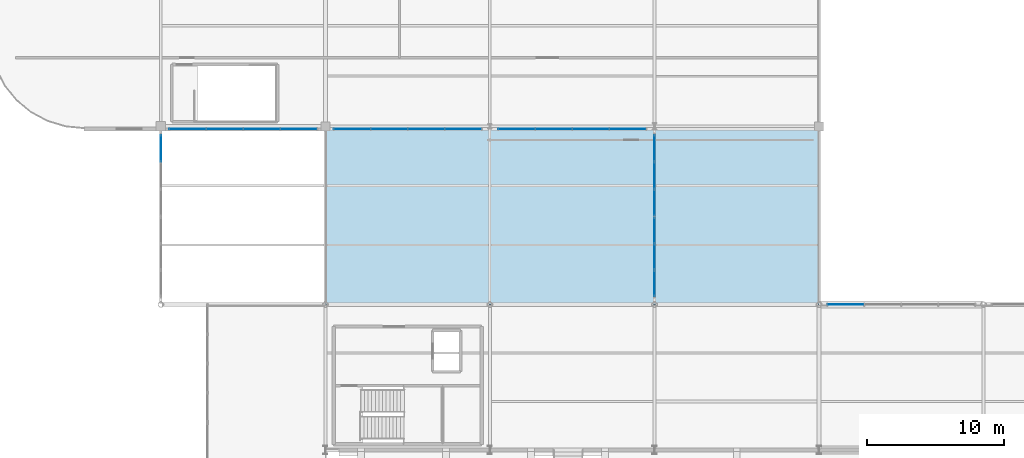
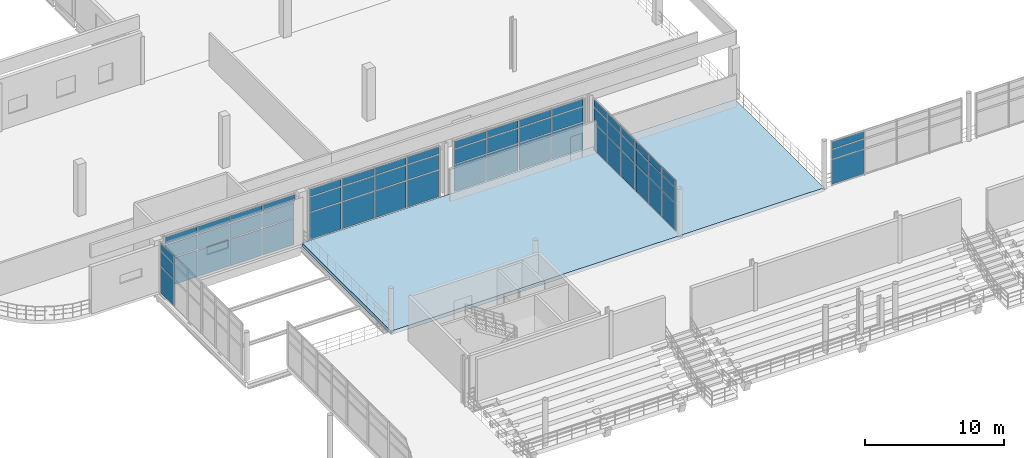
# One storey, part 58 of 89: 60 plates, 1 slab, 7 elements without a shape of their own.
"""IFC4 building model written with IfcOpenShell, lengths in metres."""

from ifc_helpers import new_model, si_unit, direction, frame, origin, origin_2d, place, context, subcontext, project, spatial, polyline, rectangle, outline, extrude, material, layer, layer_set, type_object, element, aggregate, save


model = new_model("IFC4")

# Units and contexts
model_context = context("Model", 3, precision=1e-05, world=origin(), true_north=direction((0.0, 1.0)))
body_context = subcontext(model_context, "Body", "Model", "MODEL_VIEW")
ifc_project = project(units=[si_unit("LENGTHUNIT", "METRE"), si_unit("AREAUNIT", "SQUARE_METRE"), si_unit("VOLUMEUNIT", "CUBIC_METRE"), si_unit("PLANEANGLEUNIT", "RADIAN"), si_unit("MASSUNIT", "GRAM", prefix="KILO"), si_unit("THERMODYNAMICTEMPERATUREUNIT", "KELVIN"), si_unit("POWERUNIT", "WATT")], contexts=[model_context])

# Site, building, storey
site_placement = place(None, origin())
site = spatial("IfcSite", under=ifc_project, at=site_placement, CompositionType="ELEMENT")
building_placement = place(site_placement, origin())
building = spatial("IfcBuilding", under=site, at=building_placement, Name="Solmara Park Aquatics Centre", CompositionType="ELEMENT")
storey_placement = place(building_placement, frame((0.0, 0.0, 5.39990234375)))
storey = spatial("IfcBuildingStorey", under=building, at=storey_placement, Name="L01", CompositionType="ELEMENT", Elevation=5.39990234375)

# Curtain wall, plates
ifc_material_1 = material(Name="Anodised Aluminium Curtain Wall Framing", Category="aluminium")
curtain_wall_type = type_object("IfcCurtainWallType", Name="ARC-CW-SYS05", PredefinedType="USERDEFINED", material=ifc_material_1)
curtain_wall_1_placement = place(storey_placement, origin())
curtain_wall_1 = element("IfcCurtainWall", 1, at=curtain_wall_1_placement, inside=storey, type_object=curtain_wall_type, Name="Curtain Wall CW-098", ObjectType="CURTAIN WALL", PredefinedType="USERDEFINED")
ifc_material_2 = material(Name="Double Low-E Solar-Control Glazing", Category="glass")
ifc_layer_1 = layer(ifc_material_2, 0.035888671875, Name="Double Low-E Solar-Control Glazing")
ifc_layer_set_1 = layer_set([ifc_layer_1], Name="Double Low-E Solar-Control Glazing")
plate_type_1 = type_object("IfcPlateType", Name="ARC-CWP-GLZ36-1840x1280", PredefinedType="CURTAIN_PANEL", material=ifc_layer_set_1)
plate_1_placement = place(storey_placement, frame((48.60009765625, 74.139892578125, 2.490234375), z_axis=(0.0, 0.0, 1.0), x_axis=(0.0, 1.0, 0.0)))
plate_1 = element("IfcPlate", 2, at=plate_1_placement, type_object=plate_type_1, Name="CW-098 panel 2", PredefinedType="CURTAIN_PANEL", context=body_context, shape_type="SweptSolid", body=[
    extrude(rectangle(XDim=1.840087890625, YDim=0.035888671875, at=origin_2d()), origin(), (0.0, 0.0, 1.0), 1.280029296875),
])
plate_2_placement = place(storey_placement, frame((48.60009765625, 76.06005859375, 2.490234375), z_axis=(0.0, 0.0, 1.0), x_axis=(0.0, 1.0, 0.0)))
plate_2 = element("IfcPlate", 3, at=plate_2_placement, type_object=plate_type_1, Name="CW-098 panel 5", PredefinedType="CURTAIN_PANEL", context=body_context, shape_type="SweptSolid", body=[
    extrude(rectangle(XDim=1.840087890625, YDim=0.035888671875, at=origin_2d()), origin(), (0.0, 0.0, 1.0), 1.280029296875),
])
plate_3_placement = place(storey_placement, frame((48.60009765625, 77.97998046875, 2.490234375), z_axis=(0.0, 0.0, 1.0), x_axis=(0.0, 1.0, 0.0)))
plate_3 = element("IfcPlate", 4, at=plate_3_placement, type_object=plate_type_1, Name="CW-098 panel 8", PredefinedType="CURTAIN_PANEL", context=body_context, shape_type="SweptSolid", body=[
    extrude(rectangle(XDim=1.840087890625, YDim=0.035888671875, at=origin_2d()), origin(), (0.0, 0.0, 1.0), 1.280029296875),
])
ifc_layer_2 = layer(ifc_material_2, 0.035888671875, Name="Double Low-E Solar-Control Glazing")
ifc_layer_set_2 = layer_set([ifc_layer_2], Name="Double Low-E Solar-Control Glazing")
plate_type_2 = type_object("IfcPlateType", Name="ARC-CWP-GLZ36-1840x2320", PredefinedType="CURTAIN_PANEL", material=ifc_layer_set_2)
plate_4_placement = place(storey_placement, frame((48.60009765625, 74.139892578125, 0.080078125), z_axis=(0.0, 0.0, 1.0), x_axis=(0.0, 1.0, 0.0)))
plate_4 = element("IfcPlate", 5, at=plate_4_placement, type_object=plate_type_2, Name="CW-098 panel 1", PredefinedType="CURTAIN_PANEL", context=body_context, shape_type="SweptSolid", body=[
    extrude(rectangle(XDim=1.840087890625, YDim=0.035888671875, at=origin_2d()), origin(), (0.0, 0.0, 1.0), 2.330078125),
])
plate_5_placement = place(storey_placement, frame((48.60009765625, 76.06005859375, 0.080078125), z_axis=(0.0, 0.0, 1.0), x_axis=(0.0, 1.0, 0.0)))
plate_5 = element("IfcPlate", 6, at=plate_5_placement, type_object=plate_type_2, Name="CW-098 panel 4", PredefinedType="CURTAIN_PANEL", context=body_context, shape_type="SweptSolid", body=[
    extrude(rectangle(XDim=1.840087890625, YDim=0.035888671875, at=origin_2d()), origin(), (0.0, 0.0, 1.0), 2.330078125),
])
plate_6_placement = place(storey_placement, frame((48.60009765625, 77.97998046875, 0.080078125), z_axis=(0.0, 0.0, 1.0), x_axis=(0.0, 1.0, 0.0)))
plate_6 = element("IfcPlate", 7, at=plate_6_placement, type_object=plate_type_2, Name="CW-098 panel 7", PredefinedType="CURTAIN_PANEL", context=body_context, shape_type="SweptSolid", body=[
    extrude(rectangle(XDim=1.840087890625, YDim=0.035888671875, at=origin_2d()), origin(), (0.0, 0.0, 1.0), 2.330078125),
])

curtain_wall_2_placement = place(storey_placement, origin())
curtain_wall_2 = element("IfcCurtainWall", 8, at=curtain_wall_2_placement, inside=storey, type_object=curtain_wall_type, Name="Curtain Wall CW-102", ObjectType="CURTAIN WALL", PredefinedType="USERDEFINED")
ifc_layer_3 = layer(ifc_material_2, 0.035888671875, Name="Double Low-E Solar-Control Glazing")
ifc_layer_set_3 = layer_set([ifc_layer_3], Name="Double Low-E Solar-Control Glazing")
plate_type_3 = type_object("IfcPlateType", Name="ARC-CWP-GLZ36-1900x1280", PredefinedType="CURTAIN_PANEL", material=ifc_layer_set_3)
plate_7_placement = place(storey_placement, frame((48.60009765625, 80.013427734375, 2.490234375), z_axis=(0.0, 0.0, 1.0), x_axis=(0.0, 1.0, 0.0)))
plate_7 = element("IfcPlate", 9, at=plate_7_placement, type_object=plate_type_3, Name="CW-102 panel 2", PredefinedType="CURTAIN_PANEL", context=body_context, shape_type="SweptSolid", body=[
    extrude(rectangle(XDim=1.90673828125, YDim=0.035888671875, at=origin_2d()), origin(), (0.0, 0.0, 1.0), 1.280029296875),
])
plate_8_placement = place(storey_placement, frame((48.60009765625, 82.0, 2.490234375), z_axis=(0.0, 0.0, 1.0), x_axis=(0.0, 1.0, 0.0)))
plate_8 = element("IfcPlate", 10, at=plate_8_placement, type_object=plate_type_3, Name="CW-102 panel 5", PredefinedType="CURTAIN_PANEL", context=body_context, shape_type="SweptSolid", body=[
    extrude(rectangle(XDim=1.906494140625, YDim=0.035888671875, at=origin_2d()), origin(), (0.0, 0.0, 1.0), 1.280029296875),
])
plate_9_placement = place(storey_placement, frame((48.60009765625, 83.986572265625, 2.490234375), z_axis=(0.0, 0.0, 1.0), x_axis=(0.0, 1.0, 0.0)))
plate_9 = element("IfcPlate", 11, at=plate_9_placement, type_object=plate_type_3, Name="CW-102 panel 8", PredefinedType="CURTAIN_PANEL", context=body_context, shape_type="SweptSolid", body=[
    extrude(rectangle(XDim=1.90673828125, YDim=0.035888671875, at=origin_2d()), origin(), (0.0, 0.0, 1.0), 1.280029296875),
])

# Curtain wall, plate
curtain_wall_3_placement = place(storey_placement, origin())
curtain_wall_3 = element("IfcCurtainWall", 12, at=curtain_wall_3_placement, inside=storey, type_object=curtain_wall_type, Name="Curtain Wall CW-103", ObjectType="CURTAIN WALL", PredefinedType="USERDEFINED")
plate_10_placement = place(storey_placement, frame((12.60009765625, 83.986572265625, 2.490234375), z_axis=(0.0, 0.0, 1.0), x_axis=(0.0, 1.0, 0.0)))
plate_10 = element("IfcPlate", 13, at=plate_10_placement, type_object=plate_type_3, Name="CW-103 panel 8", PredefinedType="CURTAIN_PANEL", context=body_context, shape_type="SweptSolid", body=[
    extrude(rectangle(XDim=1.90673828125, YDim=0.035888671875, at=origin_2d()), origin(), (0.0, 0.0, 1.0), 1.280029296875),
])

# Plate
ifc_layer_4 = layer(ifc_material_2, 0.035888671875, Name="Double Low-E Solar-Control Glazing")
ifc_layer_set_4 = layer_set([ifc_layer_4], Name="Double Low-E Solar-Control Glazing")
plate_type_4 = type_object("IfcPlateType", Name="ARC-CWP-GLZ36-1900x2320", PredefinedType="CURTAIN_PANEL", material=ifc_layer_set_4)
plate_11_placement = place(storey_placement, frame((48.60009765625, 80.013427734375, 0.080078125), z_axis=(0.0, 0.0, 1.0), x_axis=(0.0, 1.0, 0.0)))
plate_11 = element("IfcPlate", 14, at=plate_11_placement, type_object=plate_type_4, Name="CW-102 panel 1", PredefinedType="CURTAIN_PANEL", context=body_context, shape_type="SweptSolid", body=[
    extrude(rectangle(XDim=1.90673828125, YDim=0.035888671875, at=origin_2d()), origin(), (0.0, 0.0, 1.0), 2.330078125),
])

plate_12_placement = place(storey_placement, frame((48.60009765625, 82.0, 0.080078125), z_axis=(0.0, 0.0, 1.0), x_axis=(0.0, 1.0, 0.0)))
plate_12 = element("IfcPlate", 15, at=plate_12_placement, type_object=plate_type_4, Name="CW-102 panel 4", PredefinedType="CURTAIN_PANEL", context=body_context, shape_type="SweptSolid", body=[
    extrude(rectangle(XDim=1.906494140625, YDim=0.035888671875, at=origin_2d()), origin(), (0.0, 0.0, 1.0), 2.330078125),
])

plate_13_placement = place(storey_placement, frame((48.60009765625, 83.986572265625, 0.080078125), z_axis=(0.0, 0.0, 1.0), x_axis=(0.0, 1.0, 0.0)))
plate_13 = element("IfcPlate", 16, at=plate_13_placement, type_object=plate_type_4, Name="CW-102 panel 7", PredefinedType="CURTAIN_PANEL", context=body_context, shape_type="SweptSolid", body=[
    extrude(rectangle(XDim=1.90673828125, YDim=0.035888671875, at=origin_2d()), origin(), (0.0, 0.0, 1.0), 2.330078125),
])

plate_14_placement = place(storey_placement, frame((12.60009765625, 83.986572265625, 0.080078125), z_axis=(0.0, 0.0, 1.0), x_axis=(0.0, 1.0, 0.0)))
plate_14 = element("IfcPlate", 17, at=plate_14_placement, type_object=plate_type_4, Name="CW-103 panel 7", PredefinedType="CURTAIN_PANEL", context=body_context, shape_type="SweptSolid", body=[
    extrude(rectangle(XDim=1.90673828125, YDim=0.035888671875, at=origin_2d()), origin(), (0.0, 0.0, 1.0), 2.330078125),
])

# Curtain wall, plates
curtain_wall_4_placement = place(storey_placement, origin())
curtain_wall_4 = element("IfcCurtainWall", 18, at=curtain_wall_4_placement, inside=storey, type_object=curtain_wall_type, Name="Curtain Wall CW-104", ObjectType="CURTAIN WALL", PredefinedType="USERDEFINED")
ifc_layer_5 = layer(ifc_material_2, 0.035888671875, Name="Double Low-E Solar-Control Glazing")
ifc_layer_set_5 = layer_set([ifc_layer_5], Name="Double Low-E Solar-Control Glazing")
plate_type_5 = type_object("IfcPlateType", Name="ARC-CWP-GLZ36-2620x1280", PredefinedType="CURTAIN_PANEL", material=ifc_layer_set_5)
plate_15_placement = place(storey_placement, frame((14.530029296875, 85.39990234375, 2.490234375), z_axis=(0.0, 0.0, 1.0), x_axis=(1.0, 0.0, 0.0)))
plate_15 = element("IfcPlate", 19, at=plate_15_placement, type_object=plate_type_5, Name="CW-104 panel 2", PredefinedType="CURTAIN_PANEL", context=body_context, shape_type="SweptSolid", body=[
    extrude(rectangle(XDim=2.6201171875, YDim=0.035888671875, at=origin_2d()), origin(), (0.0, 0.0, 1.0), 1.280029296875),
])
plate_16_placement = place(storey_placement, frame((17.22998046875, 85.39990234375, 2.490234375), z_axis=(0.0, 0.0, 1.0), x_axis=(1.0, 0.0, 0.0)))
plate_16 = element("IfcPlate", 20, at=plate_16_placement, type_object=plate_type_5, Name="CW-104 panel 5", PredefinedType="CURTAIN_PANEL", context=body_context, shape_type="SweptSolid", body=[
    extrude(rectangle(XDim=2.6201171875, YDim=0.035888671875, at=origin_2d()), origin(), (0.0, 0.0, 1.0), 1.280029296875),
])
plate_17_placement = place(storey_placement, frame((19.929931640625, 85.39990234375, 2.490234375), z_axis=(0.0, 0.0, 1.0), x_axis=(1.0, 0.0, 0.0)))
plate_17 = element("IfcPlate", 21, at=plate_17_placement, type_object=plate_type_5, Name="CW-104 panel 8", PredefinedType="CURTAIN_PANEL", context=body_context, shape_type="SweptSolid", body=[
    extrude(rectangle(XDim=2.6201171875, YDim=0.035888671875, at=origin_2d()), origin(), (0.0, 0.0, 1.0), 1.280029296875),
])
plate_18_placement = place(storey_placement, frame((22.6298828125, 85.39990234375, 2.490234375), z_axis=(0.0, 0.0, 1.0), x_axis=(1.0, 0.0, 0.0)))
plate_18 = element("IfcPlate", 22, at=plate_18_placement, type_object=plate_type_5, Name="CW-104 panel 11", PredefinedType="CURTAIN_PANEL", context=body_context, shape_type="SweptSolid", body=[
    extrude(rectangle(XDim=2.6201171875, YDim=0.035888671875, at=origin_2d()), origin(), (0.0, 0.0, 1.0), 1.280029296875),
])

curtain_wall_5_placement = place(storey_placement, origin())
curtain_wall_5 = element("IfcCurtainWall", 23, at=curtain_wall_5_placement, inside=storey, type_object=curtain_wall_type, Name="Curtain Wall CW-105", ObjectType="CURTAIN WALL", PredefinedType="USERDEFINED")
plate_19_placement = place(storey_placement, frame((26.530029296875, 85.39990234375, 2.490234375), z_axis=(0.0, 0.0, 1.0), x_axis=(1.0, 0.0, 0.0)))
plate_19 = element("IfcPlate", 24, at=plate_19_placement, type_object=plate_type_5, Name="CW-105 panel 2", PredefinedType="CURTAIN_PANEL", context=body_context, shape_type="SweptSolid", body=[
    extrude(rectangle(XDim=2.6201171875, YDim=0.035888671875, at=origin_2d()), origin(), (0.0, 0.0, 1.0), 1.280029296875),
])
plate_20_placement = place(storey_placement, frame((29.22998046875, 85.39990234375, 2.490234375), z_axis=(0.0, 0.0, 1.0), x_axis=(1.0, 0.0, 0.0)))
plate_20 = element("IfcPlate", 25, at=plate_20_placement, type_object=plate_type_5, Name="CW-105 panel 5", PredefinedType="CURTAIN_PANEL", context=body_context, shape_type="SweptSolid", body=[
    extrude(rectangle(XDim=2.6201171875, YDim=0.035888671875, at=origin_2d()), origin(), (0.0, 0.0, 1.0), 1.280029296875),
])
plate_21_placement = place(storey_placement, frame((31.929931640625, 85.39990234375, 2.490234375), z_axis=(0.0, 0.0, 1.0), x_axis=(1.0, 0.0, 0.0)))
plate_21 = element("IfcPlate", 26, at=plate_21_placement, type_object=plate_type_5, Name="CW-105 panel 8", PredefinedType="CURTAIN_PANEL", context=body_context, shape_type="SweptSolid", body=[
    extrude(rectangle(XDim=2.6201171875, YDim=0.035888671875, at=origin_2d()), origin(), (0.0, 0.0, 1.0), 1.280029296875),
])
plate_22_placement = place(storey_placement, frame((34.6298828125, 85.39990234375, 2.490234375), z_axis=(0.0, 0.0, 1.0), x_axis=(1.0, 0.0, 0.0)))
plate_22 = element("IfcPlate", 27, at=plate_22_placement, type_object=plate_type_5, Name="CW-105 panel 11", PredefinedType="CURTAIN_PANEL", context=body_context, shape_type="SweptSolid", body=[
    extrude(rectangle(XDim=2.6201171875, YDim=0.035888671875, at=origin_2d()), origin(), (0.0, 0.0, 1.0), 1.280029296875),
])

curtain_wall_6_placement = place(storey_placement, origin())
curtain_wall_6 = element("IfcCurtainWall", 28, at=curtain_wall_6_placement, inside=storey, type_object=curtain_wall_type, Name="Curtain Wall CW-106", ObjectType="CURTAIN WALL", PredefinedType="USERDEFINED")
plate_23_placement = place(storey_placement, frame((38.530029296875, 85.39990234375, 2.490234375), z_axis=(0.0, 0.0, 1.0), x_axis=(1.0, 0.0, 0.0)))
plate_23 = element("IfcPlate", 29, at=plate_23_placement, type_object=plate_type_5, Name="CW-106 panel 2", PredefinedType="CURTAIN_PANEL", context=body_context, shape_type="SweptSolid", body=[
    extrude(rectangle(XDim=2.6201171875, YDim=0.035888671875, at=origin_2d()), origin(), (0.0, 0.0, 1.0), 1.280029296875),
])
plate_24_placement = place(storey_placement, frame((41.22998046875, 85.39990234375, 2.490234375), z_axis=(0.0, 0.0, 1.0), x_axis=(1.0, 0.0, 0.0)))
plate_24 = element("IfcPlate", 30, at=plate_24_placement, type_object=plate_type_5, Name="CW-106 panel 5", PredefinedType="CURTAIN_PANEL", context=body_context, shape_type="SweptSolid", body=[
    extrude(rectangle(XDim=2.6201171875, YDim=0.035888671875, at=origin_2d()), origin(), (0.0, 0.0, 1.0), 1.280029296875),
])
plate_25_placement = place(storey_placement, frame((43.929931640625, 85.39990234375, 2.490234375), z_axis=(0.0, 0.0, 1.0), x_axis=(1.0, 0.0, 0.0)))
plate_25 = element("IfcPlate", 31, at=plate_25_placement, type_object=plate_type_5, Name="CW-106 panel 8", PredefinedType="CURTAIN_PANEL", context=body_context, shape_type="SweptSolid", body=[
    extrude(rectangle(XDim=2.6201171875, YDim=0.035888671875, at=origin_2d()), origin(), (0.0, 0.0, 1.0), 1.280029296875),
])
plate_26_placement = place(storey_placement, frame((46.6298828125, 85.39990234375, 2.490234375), z_axis=(0.0, 0.0, 1.0), x_axis=(1.0, 0.0, 0.0)))
plate_26 = element("IfcPlate", 32, at=plate_26_placement, type_object=plate_type_5, Name="CW-106 panel 11", PredefinedType="CURTAIN_PANEL", context=body_context, shape_type="SweptSolid", body=[
    extrude(rectangle(XDim=2.6201171875, YDim=0.035888671875, at=origin_2d()), origin(), (0.0, 0.0, 1.0), 1.280029296875),
])

# Curtain wall, plate
curtain_wall_7_placement = place(storey_placement, origin())
curtain_wall_7 = element("IfcCurtainWall", 33, at=curtain_wall_7_placement, inside=storey, type_object=curtain_wall_type, Name="Curtain Wall CW-022", ObjectType="CURTAIN WALL", PredefinedType="USERDEFINED")
ifc_layer_6 = layer(ifc_material_2, 0.035888671875, Name="Double Low-E Solar-Control Glazing")
ifc_layer_set_6 = layer_set([ifc_layer_6], Name="Double Low-E Solar-Control Glazing")
plate_type_6 = type_object("IfcPlateType", Name="ARC-CWP-GLZ36-2620x2140", PredefinedType="CURTAIN_PANEL", material=ifc_layer_set_6)
plate_27_placement = place(storey_placement, frame((62.530029296875, 72.60009765625, 0.080078125), z_axis=(0.0, 0.0, 1.0), x_axis=(1.0, 0.0, 0.0)))
plate_27 = element("IfcPlate", 34, at=plate_27_placement, type_object=plate_type_6, Name="CW-022 panel 1", PredefinedType="CURTAIN_PANEL", context=body_context, shape_type="SweptSolid", body=[
    extrude(rectangle(XDim=2.6201171875, YDim=0.035888671875, at=origin_2d()), origin(), (0.0, 0.0, 1.0), 2.14208984375),
])

# Plate
ifc_layer_7 = layer(ifc_material_2, 0.035888671875, Name="Double Low-E Solar-Control Glazing")
ifc_layer_set_7 = layer_set([ifc_layer_7], Name="Double Low-E Solar-Control Glazing")
plate_type_7 = type_object("IfcPlateType", Name="ARC-CWP-GLZ36-2620x2320", PredefinedType="CURTAIN_PANEL", material=ifc_layer_set_7)
plate_28_placement = place(storey_placement, frame((14.530029296875, 85.39990234375, 0.080078125), z_axis=(0.0, 0.0, 1.0), x_axis=(1.0, 0.0, 0.0)))
plate_28 = element("IfcPlate", 35, at=plate_28_placement, type_object=plate_type_7, Name="CW-104 panel 1", PredefinedType="CURTAIN_PANEL", context=body_context, shape_type="SweptSolid", body=[
    extrude(rectangle(XDim=2.6201171875, YDim=0.035888671875, at=origin_2d()), origin(), (0.0, 0.0, 1.0), 2.330078125),
])

plate_29_placement = place(storey_placement, frame((17.22998046875, 85.39990234375, 0.080078125), z_axis=(0.0, 0.0, 1.0), x_axis=(1.0, 0.0, 0.0)))
plate_29 = element("IfcPlate", 36, at=plate_29_placement, type_object=plate_type_7, Name="CW-104 panel 4", PredefinedType="CURTAIN_PANEL", context=body_context, shape_type="SweptSolid", body=[
    extrude(rectangle(XDim=2.6201171875, YDim=0.035888671875, at=origin_2d()), origin(), (0.0, 0.0, 1.0), 2.330078125),
])

plate_30_placement = place(storey_placement, frame((19.929931640625, 85.39990234375, 0.080078125), z_axis=(0.0, 0.0, 1.0), x_axis=(1.0, 0.0, 0.0)))
plate_30 = element("IfcPlate", 37, at=plate_30_placement, type_object=plate_type_7, Name="CW-104 panel 7", PredefinedType="CURTAIN_PANEL", context=body_context, shape_type="SweptSolid", body=[
    extrude(rectangle(XDim=2.6201171875, YDim=0.035888671875, at=origin_2d()), origin(), (0.0, 0.0, 1.0), 2.330078125),
])

plate_31_placement = place(storey_placement, frame((22.6298828125, 85.39990234375, 0.080078125), z_axis=(0.0, 0.0, 1.0), x_axis=(1.0, 0.0, 0.0)))
plate_31 = element("IfcPlate", 38, at=plate_31_placement, type_object=plate_type_7, Name="CW-104 panel 10", PredefinedType="CURTAIN_PANEL", context=body_context, shape_type="SweptSolid", body=[
    extrude(rectangle(XDim=2.6201171875, YDim=0.035888671875, at=origin_2d()), origin(), (0.0, 0.0, 1.0), 2.330078125),
])

plate_32_placement = place(storey_placement, frame((26.530029296875, 85.39990234375, 0.080078125), z_axis=(0.0, 0.0, 1.0), x_axis=(1.0, 0.0, 0.0)))
plate_32 = element("IfcPlate", 39, at=plate_32_placement, type_object=plate_type_7, Name="CW-105 panel 1", PredefinedType="CURTAIN_PANEL", context=body_context, shape_type="SweptSolid", body=[
    extrude(rectangle(XDim=2.6201171875, YDim=0.035888671875, at=origin_2d()), origin(), (0.0, 0.0, 1.0), 2.330078125),
])

plate_33_placement = place(storey_placement, frame((29.22998046875, 85.39990234375, 0.080078125), z_axis=(0.0, 0.0, 1.0), x_axis=(1.0, 0.0, 0.0)))
plate_33 = element("IfcPlate", 40, at=plate_33_placement, type_object=plate_type_7, Name="CW-105 panel 4", PredefinedType="CURTAIN_PANEL", context=body_context, shape_type="SweptSolid", body=[
    extrude(rectangle(XDim=2.6201171875, YDim=0.035888671875, at=origin_2d()), origin(), (0.0, 0.0, 1.0), 2.330078125),
])

plate_34_placement = place(storey_placement, frame((31.929931640625, 85.39990234375, 0.080078125), z_axis=(0.0, 0.0, 1.0), x_axis=(1.0, 0.0, 0.0)))
plate_34 = element("IfcPlate", 41, at=plate_34_placement, type_object=plate_type_7, Name="CW-105 panel 7", PredefinedType="CURTAIN_PANEL", context=body_context, shape_type="SweptSolid", body=[
    extrude(rectangle(XDim=2.6201171875, YDim=0.035888671875, at=origin_2d()), origin(), (0.0, 0.0, 1.0), 2.330078125),
])

plate_35_placement = place(storey_placement, frame((34.6298828125, 85.39990234375, 0.080078125), z_axis=(0.0, 0.0, 1.0), x_axis=(1.0, 0.0, 0.0)))
plate_35 = element("IfcPlate", 42, at=plate_35_placement, type_object=plate_type_7, Name="CW-105 panel 10", PredefinedType="CURTAIN_PANEL", context=body_context, shape_type="SweptSolid", body=[
    extrude(rectangle(XDim=2.6201171875, YDim=0.035888671875, at=origin_2d()), origin(), (0.0, 0.0, 1.0), 2.330078125),
])

plate_36_placement = place(storey_placement, frame((38.530029296875, 85.39990234375, 0.080078125), z_axis=(0.0, 0.0, 1.0), x_axis=(1.0, 0.0, 0.0)))
plate_36 = element("IfcPlate", 43, at=plate_36_placement, type_object=plate_type_7, Name="CW-106 panel 1", PredefinedType="CURTAIN_PANEL", context=body_context, shape_type="SweptSolid", body=[
    extrude(rectangle(XDim=2.6201171875, YDim=0.035888671875, at=origin_2d()), origin(), (0.0, 0.0, 1.0), 2.330078125),
])

plate_37_placement = place(storey_placement, frame((41.22998046875, 85.39990234375, 0.080078125), z_axis=(0.0, 0.0, 1.0), x_axis=(1.0, 0.0, 0.0)))
plate_37 = element("IfcPlate", 44, at=plate_37_placement, type_object=plate_type_7, Name="CW-106 panel 4", PredefinedType="CURTAIN_PANEL", context=body_context, shape_type="SweptSolid", body=[
    extrude(rectangle(XDim=2.6201171875, YDim=0.035888671875, at=origin_2d()), origin(), (0.0, 0.0, 1.0), 2.330078125),
])

plate_38_placement = place(storey_placement, frame((43.929931640625, 85.39990234375, 0.080078125), z_axis=(0.0, 0.0, 1.0), x_axis=(1.0, 0.0, 0.0)))
plate_38 = element("IfcPlate", 45, at=plate_38_placement, type_object=plate_type_7, Name="CW-106 panel 7", PredefinedType="CURTAIN_PANEL", context=body_context, shape_type="SweptSolid", body=[
    extrude(rectangle(XDim=2.6201171875, YDim=0.035888671875, at=origin_2d()), origin(), (0.0, 0.0, 1.0), 2.330078125),
])

plate_39_placement = place(storey_placement, frame((46.6298828125, 85.39990234375, 0.080078125), z_axis=(0.0, 0.0, 1.0), x_axis=(1.0, 0.0, 0.0)))
plate_39 = element("IfcPlate", 46, at=plate_39_placement, type_object=plate_type_7, Name="CW-106 panel 10", PredefinedType="CURTAIN_PANEL", context=body_context, shape_type="SweptSolid", body=[
    extrude(rectangle(XDim=2.6201171875, YDim=0.035888671875, at=origin_2d()), origin(), (0.0, 0.0, 1.0), 2.330078125),
])

ifc_layer_8 = layer(ifc_material_2, 0.035888671875, Name="Double Low-E Solar-Control Glazing")
ifc_layer_set_8 = layer_set([ifc_layer_8], Name="Double Low-E Solar-Control Glazing")
plate_type_8 = type_object("IfcPlateType", Name="ARC-CWP-GLZ36-2620x800", PredefinedType="CURTAIN_PANEL", material=ifc_layer_set_8)
plate_40_placement = place(storey_placement, frame((62.530029296875, 72.60009765625, 2.302001953125), z_axis=(0.0, 0.0, 1.0), x_axis=(1.0, 0.0, 0.0)))
plate_40 = element("IfcPlate", 47, at=plate_40_placement, type_object=plate_type_8, Name="CW-022 panel 2", PredefinedType="CURTAIN_PANEL", context=body_context, shape_type="SweptSolid", body=[
    extrude(rectangle(XDim=2.6201171875, YDim=0.035888671875, at=origin_2d()), origin(), (0.0, 0.0, 1.0), 0.80810546875),
])

ifc_material_3 = material(Name="Golden-Ochre Enamelled Aluminium Fascia Panel", Category="aluminium")
ifc_layer_9 = layer(ifc_material_3, 0.0400390625, Name="Golden-Ochre Enamelled Aluminium Fascia Panel")
ifc_layer_set_9 = layer_set([ifc_layer_9], Name="Golden-Ochre Enamelled Aluminium Fascia Panel")
plate_type_9 = type_object("IfcPlateType", Name="ARC-CWP-OCH40-2620x640", PredefinedType="CURTAIN_PANEL", material=ifc_layer_set_9)
plate_41_placement = place(storey_placement, frame((14.530029296875, 85.39990234375, 3.85009765625), z_axis=(0.0, 0.0, 1.0), x_axis=(1.0, 0.0, 0.0)))
plate_41 = element("IfcPlate", 48, at=plate_41_placement, type_object=plate_type_9, Name="CW-104 panel 3", PredefinedType="CURTAIN_PANEL", context=body_context, shape_type="SweptSolid", body=[
    extrude(rectangle(XDim=2.6201171875, YDim=0.0400390625, at=origin_2d()), origin(), (0.0, 0.0, 1.0), 0.6298828125),
])

plate_42_placement = place(storey_placement, frame((17.22998046875, 85.39990234375, 3.85009765625), z_axis=(0.0, 0.0, 1.0), x_axis=(1.0, 0.0, 0.0)))
plate_42 = element("IfcPlate", 49, at=plate_42_placement, type_object=plate_type_9, Name="CW-104 panel 6", PredefinedType="CURTAIN_PANEL", context=body_context, shape_type="SweptSolid", body=[
    extrude(rectangle(XDim=2.6201171875, YDim=0.0400390625, at=origin_2d()), origin(), (0.0, 0.0, 1.0), 0.6298828125),
])

plate_43_placement = place(storey_placement, frame((19.929931640625, 85.39990234375, 3.85009765625), z_axis=(0.0, 0.0, 1.0), x_axis=(1.0, 0.0, 0.0)))
plate_43 = element("IfcPlate", 50, at=plate_43_placement, type_object=plate_type_9, Name="CW-104 panel 9", PredefinedType="CURTAIN_PANEL", context=body_context, shape_type="SweptSolid", body=[
    extrude(rectangle(XDim=2.6201171875, YDim=0.0400390625, at=origin_2d()), origin(), (0.0, 0.0, 1.0), 0.6298828125),
])

plate_44_placement = place(storey_placement, frame((22.6298828125, 85.39990234375, 3.85009765625), z_axis=(0.0, 0.0, 1.0), x_axis=(1.0, 0.0, 0.0)))
plate_44 = element("IfcPlate", 51, at=plate_44_placement, type_object=plate_type_9, Name="CW-104 panel 12", PredefinedType="CURTAIN_PANEL", context=body_context, shape_type="SweptSolid", body=[
    extrude(rectangle(XDim=2.6201171875, YDim=0.0400390625, at=origin_2d()), origin(), (0.0, 0.0, 1.0), 0.6298828125),
])

aggregate(curtain_wall_4, [plate_28, plate_15, plate_41, plate_29, plate_16, plate_42, plate_30, plate_17, plate_43, plate_31, plate_18, plate_44])

ifc_material_4 = material(Name="Insulated Anodised Aluminium Spandrel Panel", Category="aluminium")
ifc_layer_10 = layer(ifc_material_4, 0.0439453125, Name="Insulated Anodised Aluminium Spandrel Panel")
ifc_layer_set_10 = layer_set([ifc_layer_10], Name="Insulated Anodised Aluminium Spandrel Panel")
plate_type_10 = type_object("IfcPlateType", Name="ARC-CWP-SPN44-1840x640", PredefinedType="CURTAIN_PANEL", material=ifc_layer_set_10)
plate_45_placement = place(storey_placement, frame((48.60009765625, 74.139892578125, 3.85009765625), z_axis=(0.0, 0.0, 1.0), x_axis=(0.0, 1.0, 0.0)))
plate_45 = element("IfcPlate", 52, at=plate_45_placement, type_object=plate_type_10, Name="CW-098 panel 3", PredefinedType="CURTAIN_PANEL", context=body_context, shape_type="SweptSolid", body=[
    extrude(rectangle(XDim=1.840087890625, YDim=0.0439453125, at=origin_2d()), origin(), (0.0, 0.0, 1.0), 0.6298828125),
])

plate_46_placement = place(storey_placement, frame((48.60009765625, 76.06005859375, 3.85009765625), z_axis=(0.0, 0.0, 1.0), x_axis=(0.0, 1.0, 0.0)))
plate_46 = element("IfcPlate", 53, at=plate_46_placement, type_object=plate_type_10, Name="CW-098 panel 6", PredefinedType="CURTAIN_PANEL", context=body_context, shape_type="SweptSolid", body=[
    extrude(rectangle(XDim=1.840087890625, YDim=0.0439453125, at=origin_2d()), origin(), (0.0, 0.0, 1.0), 0.6298828125),
])

plate_47_placement = place(storey_placement, frame((48.60009765625, 77.97998046875, 3.85009765625), z_axis=(0.0, 0.0, 1.0), x_axis=(0.0, 1.0, 0.0)))
plate_47 = element("IfcPlate", 54, at=plate_47_placement, type_object=plate_type_10, Name="CW-098 panel 9", PredefinedType="CURTAIN_PANEL", context=body_context, shape_type="SweptSolid", body=[
    extrude(rectangle(XDim=1.840087890625, YDim=0.0439453125, at=origin_2d()), origin(), (0.0, 0.0, 1.0), 0.6298828125),
])

aggregate(curtain_wall_1, [plate_4, plate_1, plate_45, plate_5, plate_2, plate_46, plate_6, plate_3, plate_47])

ifc_layer_11 = layer(ifc_material_4, 0.0439453125, Name="Insulated Anodised Aluminium Spandrel Panel")
ifc_layer_set_11 = layer_set([ifc_layer_11], Name="Insulated Anodised Aluminium Spandrel Panel")
plate_type_11 = type_object("IfcPlateType", Name="ARC-CWP-SPN44-1900x640", PredefinedType="CURTAIN_PANEL", material=ifc_layer_set_11)
plate_48_placement = place(storey_placement, frame((48.60009765625, 80.013427734375, 3.85009765625), z_axis=(0.0, 0.0, 1.0), x_axis=(0.0, 1.0, 0.0)))
plate_48 = element("IfcPlate", 55, at=plate_48_placement, type_object=plate_type_11, Name="CW-102 panel 3", PredefinedType="CURTAIN_PANEL", context=body_context, shape_type="SweptSolid", body=[
    extrude(rectangle(XDim=1.90673828125, YDim=0.0439453125, at=origin_2d()), origin(), (0.0, 0.0, 1.0), 0.6298828125),
])

plate_49_placement = place(storey_placement, frame((48.60009765625, 82.0, 3.85009765625), z_axis=(0.0, 0.0, 1.0), x_axis=(0.0, 1.0, 0.0)))
plate_49 = element("IfcPlate", 56, at=plate_49_placement, type_object=plate_type_11, Name="CW-102 panel 6", PredefinedType="CURTAIN_PANEL", context=body_context, shape_type="SweptSolid", body=[
    extrude(rectangle(XDim=1.906494140625, YDim=0.0439453125, at=origin_2d()), origin(), (0.0, 0.0, 1.0), 0.6298828125),
])

plate_50_placement = place(storey_placement, frame((48.60009765625, 83.986572265625, 3.85009765625), z_axis=(0.0, 0.0, 1.0), x_axis=(0.0, 1.0, 0.0)))
plate_50 = element("IfcPlate", 57, at=plate_50_placement, type_object=plate_type_11, Name="CW-102 panel 9", PredefinedType="CURTAIN_PANEL", context=body_context, shape_type="SweptSolid", body=[
    extrude(rectangle(XDim=1.90673828125, YDim=0.0439453125, at=origin_2d()), origin(), (0.0, 0.0, 1.0), 0.6298828125),
])

aggregate(curtain_wall_2, [plate_11, plate_7, plate_48, plate_12, plate_8, plate_49, plate_13, plate_9, plate_50])

plate_51_placement = place(storey_placement, frame((12.60009765625, 83.986572265625, 3.85009765625), z_axis=(0.0, 0.0, 1.0), x_axis=(0.0, 1.0, 0.0)))
plate_51 = element("IfcPlate", 58, at=plate_51_placement, type_object=plate_type_11, Name="CW-103 panel 9", PredefinedType="CURTAIN_PANEL", context=body_context, shape_type="SweptSolid", body=[
    extrude(rectangle(XDim=1.90673828125, YDim=0.0439453125, at=origin_2d()), origin(), (0.0, 0.0, 1.0), 0.6298828125),
])

aggregate(curtain_wall_3, [plate_14, plate_10, plate_51])

ifc_layer_12 = layer(ifc_material_4, 0.0439453125, Name="Insulated Anodised Aluminium Spandrel Panel")
ifc_layer_set_12 = layer_set([ifc_layer_12], Name="Insulated Anodised Aluminium Spandrel Panel")
plate_type_12 = type_object("IfcPlateType", Name="ARC-CWP-SPN44-2620x640", PredefinedType="CURTAIN_PANEL", material=ifc_layer_set_12)
plate_52_placement = place(storey_placement, frame((62.530029296875, 72.60009765625, 3.190185546875), z_axis=(0.0, 0.0, 1.0), x_axis=(1.0, 0.0, 0.0)))
plate_52 = element("IfcPlate", 59, at=plate_52_placement, type_object=plate_type_12, Name="CW-022 panel 3", PredefinedType="CURTAIN_PANEL", context=body_context, shape_type="SweptSolid", body=[
    extrude(rectangle(XDim=2.6201171875, YDim=0.0439453125, at=origin_2d()), origin(), (0.0, 0.0, 1.0), 0.6298828125),
])

aggregate(curtain_wall_7, [plate_27, plate_40, plate_52])

plate_53_placement = place(storey_placement, frame((26.530029296875, 85.39990234375, 3.85009765625), z_axis=(0.0, 0.0, 1.0), x_axis=(1.0, 0.0, 0.0)))
plate_53 = element("IfcPlate", 60, at=plate_53_placement, type_object=plate_type_12, Name="CW-105 panel 3", PredefinedType="CURTAIN_PANEL", context=body_context, shape_type="SweptSolid", body=[
    extrude(rectangle(XDim=2.6201171875, YDim=0.0439453125, at=origin_2d()), origin(), (0.0, 0.0, 1.0), 0.6298828125),
])

plate_54_placement = place(storey_placement, frame((29.22998046875, 85.39990234375, 3.85009765625), z_axis=(0.0, 0.0, 1.0), x_axis=(1.0, 0.0, 0.0)))
plate_54 = element("IfcPlate", 61, at=plate_54_placement, type_object=plate_type_12, Name="CW-105 panel 6", PredefinedType="CURTAIN_PANEL", context=body_context, shape_type="SweptSolid", body=[
    extrude(rectangle(XDim=2.6201171875, YDim=0.0439453125, at=origin_2d()), origin(), (0.0, 0.0, 1.0), 0.6298828125),
])

plate_55_placement = place(storey_placement, frame((31.929931640625, 85.39990234375, 3.85009765625), z_axis=(0.0, 0.0, 1.0), x_axis=(1.0, 0.0, 0.0)))
plate_55 = element("IfcPlate", 62, at=plate_55_placement, type_object=plate_type_12, Name="CW-105 panel 9", PredefinedType="CURTAIN_PANEL", context=body_context, shape_type="SweptSolid", body=[
    extrude(rectangle(XDim=2.6201171875, YDim=0.0439453125, at=origin_2d()), origin(), (0.0, 0.0, 1.0), 0.6298828125),
])

plate_56_placement = place(storey_placement, frame((34.6298828125, 85.39990234375, 3.85009765625), z_axis=(0.0, 0.0, 1.0), x_axis=(1.0, 0.0, 0.0)))
plate_56 = element("IfcPlate", 63, at=plate_56_placement, type_object=plate_type_12, Name="CW-105 panel 12", PredefinedType="CURTAIN_PANEL", context=body_context, shape_type="SweptSolid", body=[
    extrude(rectangle(XDim=2.6201171875, YDim=0.0439453125, at=origin_2d()), origin(), (0.0, 0.0, 1.0), 0.6298828125),
])

aggregate(curtain_wall_5, [plate_32, plate_19, plate_53, plate_33, plate_20, plate_54, plate_34, plate_21, plate_55, plate_35, plate_22, plate_56])

plate_57_placement = place(storey_placement, frame((38.530029296875, 85.39990234375, 3.85009765625), z_axis=(0.0, 0.0, 1.0), x_axis=(1.0, 0.0, 0.0)))
plate_57 = element("IfcPlate", 64, at=plate_57_placement, type_object=plate_type_12, Name="CW-106 panel 3", PredefinedType="CURTAIN_PANEL", context=body_context, shape_type="SweptSolid", body=[
    extrude(rectangle(XDim=2.6201171875, YDim=0.0439453125, at=origin_2d()), origin(), (0.0, 0.0, 1.0), 0.6298828125),
])

plate_58_placement = place(storey_placement, frame((41.22998046875, 85.39990234375, 3.85009765625), z_axis=(0.0, 0.0, 1.0), x_axis=(1.0, 0.0, 0.0)))
plate_58 = element("IfcPlate", 65, at=plate_58_placement, type_object=plate_type_12, Name="CW-106 panel 6", PredefinedType="CURTAIN_PANEL", context=body_context, shape_type="SweptSolid", body=[
    extrude(rectangle(XDim=2.6201171875, YDim=0.0439453125, at=origin_2d()), origin(), (0.0, 0.0, 1.0), 0.6298828125),
])

plate_59_placement = place(storey_placement, frame((43.929931640625, 85.39990234375, 3.85009765625), z_axis=(0.0, 0.0, 1.0), x_axis=(1.0, 0.0, 0.0)))
plate_59 = element("IfcPlate", 66, at=plate_59_placement, type_object=plate_type_12, Name="CW-106 panel 9", PredefinedType="CURTAIN_PANEL", context=body_context, shape_type="SweptSolid", body=[
    extrude(rectangle(XDim=2.6201171875, YDim=0.0439453125, at=origin_2d()), origin(), (0.0, 0.0, 1.0), 0.6298828125),
])

plate_60_placement = place(storey_placement, frame((46.6298828125, 85.39990234375, 3.85009765625), z_axis=(0.0, 0.0, 1.0), x_axis=(1.0, 0.0, 0.0)))
plate_60 = element("IfcPlate", 67, at=plate_60_placement, type_object=plate_type_12, Name="CW-106 panel 12", PredefinedType="CURTAIN_PANEL", context=body_context, shape_type="SweptSolid", body=[
    extrude(rectangle(XDim=2.6201171875, YDim=0.0439453125, at=origin_2d()), origin(), (0.0, 0.0, 1.0), 0.6298828125),
])

aggregate(curtain_wall_6, [plate_36, plate_23, plate_57, plate_37, plate_24, plate_58, plate_38, plate_25, plate_59, plate_39, plate_26, plate_60])

# Slab
ifc_material_5 = material(Name="Concrete C40/50", Category="concrete")
ifc_layer_13 = layer(ifc_material_5, 0.320068359375, Name="Concrete C40/50")
ifc_layer_set_13 = layer_set([ifc_layer_13], Name="Concrete C40/50")
slab_type = type_object("IfcSlabType", Name="STR-SLB-GYM320", PredefinedType="FLOOR", material=ifc_layer_set_13)
slab_placement = place(storey_placement, frame((0.0, 0.0, -0.31982421875)))
element("IfcSlab", 68, at=slab_placement, inside=storey, type_object=slab_type, Name="L01 Club Concourse Link Slab", PredefinedType="FLOOR", context=body_context, shape_type="SweptSolid", body=[
    extrude(outline(polyline([(24.60009765625, 72.60009765625), (60.60009765625, 72.60009765625), (60.60009765625, 85.39990234375), (24.60009765625, 85.39990234375), (24.60009765625, 72.60009765625)])), origin(), (0.0, 0.0, 1.0), 0.31982421875),
])

save(model, "model.ifc")
